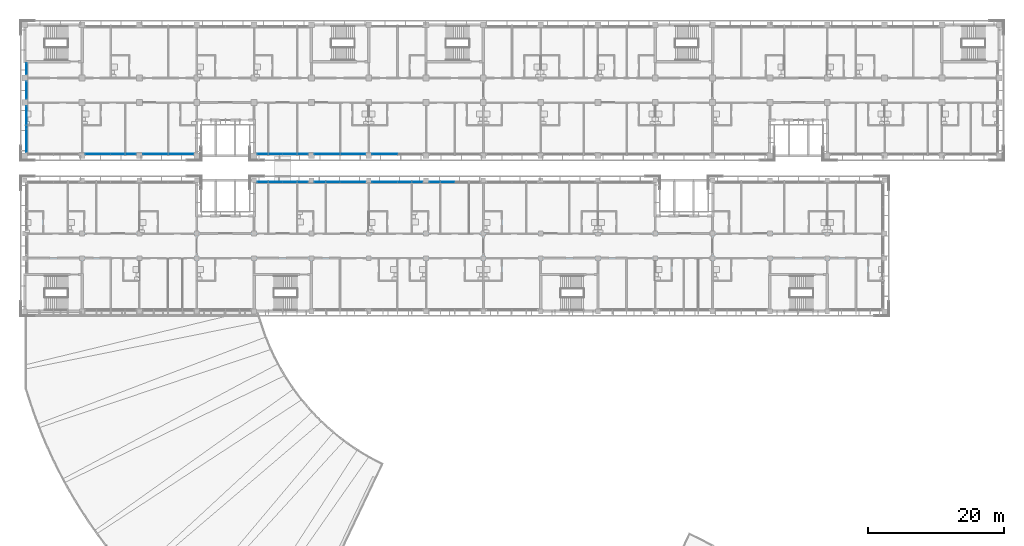
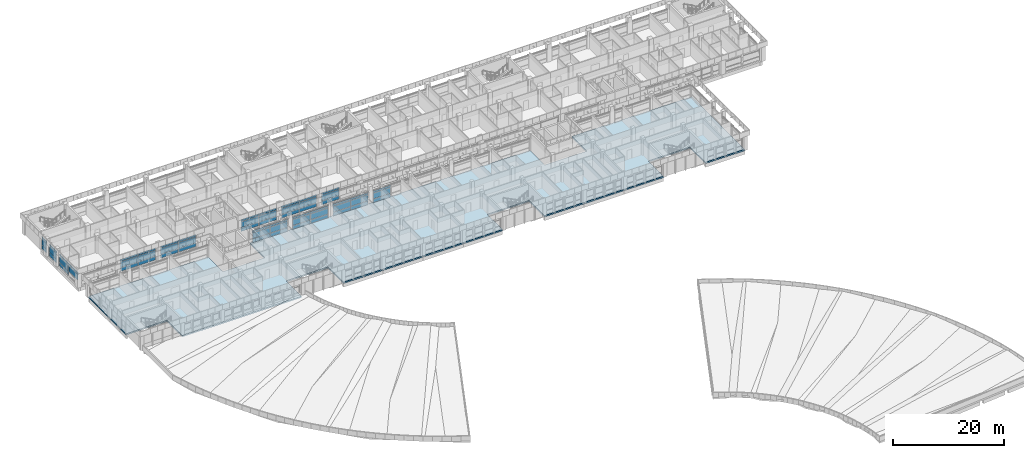
# One storey, part 22 of 74: 59 plates, 1 slab, 12 elements without a shape of their own.
"""IFC4 building model written with IfcOpenShell, lengths in metres."""

from ifc_helpers import new_model, si_unit, direction, frame, origin, origin_2d, place, context, subcontext, project, spatial, polyline, rectangle, outline, extrude, material, layer, layer_set, type_object, element, aggregate, save


model = new_model("IFC4")

# Units and contexts
model_context = context("Model", 3, precision=1e-05, world=origin(), true_north=direction((0.0, 1.0)))
body_context = subcontext(model_context, "Body", "Model", "MODEL_VIEW")
ifc_project = project(units=[si_unit("LENGTHUNIT", "METRE"), si_unit("AREAUNIT", "SQUARE_METRE"), si_unit("VOLUMEUNIT", "CUBIC_METRE"), si_unit("PLANEANGLEUNIT", "RADIAN"), si_unit("MASSUNIT", "GRAM", prefix="KILO")], contexts=[model_context])

# Site, building, storey
site_placement = place(None, origin())
site = spatial("IfcSite", under=ifc_project, at=site_placement, CompositionType="ELEMENT")
building_placement = place(site_placement, origin())
building = spatial("IfcBuilding", under=site, at=building_placement, Name="Bougainvillea Quay General Hospital", CompositionType="ELEMENT")
storey_placement = place(building_placement, frame((0.0, 0.0, 21.0)))
storey = spatial("IfcBuildingStorey", under=building, at=storey_placement, Name="L04", CompositionType="ELEMENT", Elevation=21.0)

# Curtain wall, plates
ifc_material_1 = material(Name="Aluminium curtain wall system, powder-coated glazed", Category="aluminium")
curtain_wall_type_1 = type_object("IfcCurtainWallType", Name="Unitised curtain wall CW-1755", PredefinedType="NOTDEFINED", material=ifc_material_1)
curtain_wall_1_placement = place(storey_placement, origin())
curtain_wall_1 = element("IfcCurtainWall", 1, at=curtain_wall_1_placement, inside=storey, type_object=curtain_wall_type_1, Name="CW-4200 00", PredefinedType="NOTDEFINED")
ifc_material_2 = material(Name="Insulated aluminium spandrel panel, white", Category="aluminium")
ifc_layer_1 = layer(ifc_material_2, 0.028076171875)
ifc_layer_set_1 = layer_set([ifc_layer_1], Name="Insulated aluminium spandrel panel, white")
plate_type_1 = type_object("IfcPlateType", Name="Insulated spandrel panel white 28", PredefinedType="CURTAIN_PANEL", material=ifc_layer_set_1)
plate_1_placement = place(storey_placement, frame((42.25, 153.1474609375, 0.06005859375), z_axis=(0.0, 0.0, 1.0), x_axis=(0.0, -1.0, 0.0)))
plate_1 = element("IfcPlate", 2, at=plate_1_placement, type_object=plate_type_1, Name="CW-4200 spandrel panel 1.1", PredefinedType="CURTAIN_PANEL", context=body_context, shape_type="SweptSolid", body=[
    extrude(rectangle(XDim=1.635009765625, YDim=0.028076171875, at=origin_2d()), origin(), (0.0, 0.0, 1.0), 0.81005859375),
])
plate_2_placement = place(storey_placement, frame((42.25, 153.1474609375, 2.2802734375), z_axis=(0.0, 0.0, 1.0), x_axis=(0.0, -1.0, 0.0)))
plate_2 = element("IfcPlate", 3, at=plate_2_placement, type_object=plate_type_1, Name="CW-4200 spandrel panel 1.3", PredefinedType="CURTAIN_PANEL", context=body_context, shape_type="SweptSolid", body=[
    extrude(rectangle(XDim=1.635009765625, YDim=0.028076171875, at=origin_2d()), origin(), (0.0, 0.0, 1.0), 0.409912109375),
])

curtain_wall_type_2 = type_object("IfcCurtainWallType", Name="Unitised curtain wall CW-2660", PredefinedType="NOTDEFINED", material=ifc_material_1)
curtain_wall_2_placement = place(storey_placement, origin())
curtain_wall_2 = element("IfcCurtainWall", 4, at=curtain_wall_2_placement, inside=storey, type_object=curtain_wall_type_2, Name="CW-4200 01", PredefinedType="NOTDEFINED")
plate_3_placement = place(storey_placement, frame((42.25, 150.0, 0.06005859375), z_axis=(0.0, 0.0, 1.0), x_axis=(0.0, -1.0, 0.0)))
plate_3 = element("IfcPlate", 5, at=plate_3_placement, type_object=plate_type_1, Name="CW-4200 spandrel panel 1.1", PredefinedType="CURTAIN_PANEL", context=body_context, shape_type="SweptSolid", body=[
    extrude(rectangle(XDim=2.5400390625, YDim=0.028076171875, at=origin_2d()), origin(), (0.0, 0.0, 1.0), 0.81005859375),
])
plate_4_placement = place(storey_placement, frame((42.25, 150.0, 2.2802734375), z_axis=(0.0, 0.0, 1.0), x_axis=(0.0, -1.0, 0.0)))
plate_4 = element("IfcPlate", 6, at=plate_4_placement, type_object=plate_type_1, Name="CW-4200 spandrel panel 1.3", PredefinedType="CURTAIN_PANEL", context=body_context, shape_type="SweptSolid", body=[
    extrude(rectangle(XDim=2.5400390625, YDim=0.028076171875, at=origin_2d()), origin(), (0.0, 0.0, 1.0), 0.409912109375),
])

curtain_wall_type_3 = type_object("IfcCurtainWallType", Name="Unitised curtain wall CW-3430", PredefinedType="NOTDEFINED", material=ifc_material_1)
curtain_wall_3_placement = place(storey_placement, origin())
curtain_wall_3 = element("IfcCurtainWall", 7, at=curtain_wall_3_placement, inside=storey, type_object=curtain_wall_type_3, Name="CW-4200 02", PredefinedType="NOTDEFINED")
plate_5_placement = place(storey_placement, frame((42.25, 146.0, 0.06005859375), z_axis=(0.0, 0.0, 1.0), x_axis=(0.0, -1.0, 0.0)))
plate_5 = element("IfcPlate", 8, at=plate_5_placement, type_object=plate_type_1, Name="CW-4200 spandrel panel 1.1", PredefinedType="CURTAIN_PANEL", context=body_context, shape_type="SweptSolid", body=[
    extrude(rectangle(XDim=3.340087890625, YDim=0.028076171875, at=origin_2d()), origin(), (0.0, 0.0, 1.0), 0.81005859375),
])
plate_6_placement = place(storey_placement, frame((42.25, 146.0, 2.2802734375), z_axis=(0.0, 0.0, 1.0), x_axis=(0.0, -1.0, 0.0)))
plate_6 = element("IfcPlate", 9, at=plate_6_placement, type_object=plate_type_1, Name="CW-4200 spandrel panel 1.3", PredefinedType="CURTAIN_PANEL", context=body_context, shape_type="SweptSolid", body=[
    extrude(rectangle(XDim=3.340087890625, YDim=0.028076171875, at=origin_2d()), origin(), (0.0, 0.0, 1.0), 0.409912109375),
])
plate_7_placement = place(storey_placement, frame((42.25, 142.60009765625, 2.2802734375), z_axis=(0.0, 0.0, 1.0), x_axis=(0.0, -1.0, 0.0)))
plate_7 = element("IfcPlate", 10, at=plate_7_placement, type_object=plate_type_1, Name="CW-4200 spandrel panel 2.3", PredefinedType="CURTAIN_PANEL", context=body_context, shape_type="SweptSolid", body=[
    extrude(rectangle(XDim=3.340087890625, YDim=0.028076171875, at=origin_2d()), origin(), (0.0, 0.0, 1.0), 0.409912109375),
])

curtain_wall_type_4 = type_object("IfcCurtainWallType", Name="Unitised curtain wall CW-3730", PredefinedType="NOTDEFINED", material=ifc_material_1)
curtain_wall_4_placement = place(storey_placement, origin())
curtain_wall_4 = element("IfcCurtainWall", 11, at=curtain_wall_4_placement, inside=storey, type_object=curtain_wall_type_4, Name="CW-4200 01", PredefinedType="NOTDEFINED")
plate_8_placement = place(storey_placement, frame((52.75, 140.64990234375, 0.06005859375), z_axis=(0.0, 0.0, 1.0), x_axis=(1.0, 0.0, 0.0)))
plate_8 = element("IfcPlate", 12, at=plate_8_placement, type_object=plate_type_1, Name="CW-4200 spandrel panel 1.1", PredefinedType="CURTAIN_PANEL", context=body_context, shape_type="SweptSolid", body=[
    extrude(rectangle(XDim=3.639892578125, YDim=0.028076171875, at=origin_2d()), origin(), (0.0, 0.0, 1.0), 0.81005859375),
])
plate_9_placement = place(storey_placement, frame((52.75, 140.64990234375, 2.2802734375), z_axis=(0.0, 0.0, 1.0), x_axis=(1.0, 0.0, 0.0)))
plate_9 = element("IfcPlate", 13, at=plate_9_placement, type_object=plate_type_1, Name="CW-4200 spandrel panel 1.3", PredefinedType="CURTAIN_PANEL", context=body_context, shape_type="SweptSolid", body=[
    extrude(rectangle(XDim=3.639892578125, YDim=0.028076171875, at=origin_2d()), origin(), (0.0, 0.0, 1.0), 0.409912109375),
])
plate_10_placement = place(storey_placement, frame((56.449951171875, 140.64990234375, 0.06005859375), z_axis=(0.0, 0.0, 1.0), x_axis=(1.0, 0.0, 0.0)))
plate_10 = element("IfcPlate", 14, at=plate_10_placement, type_object=plate_type_1, Name="CW-4200 spandrel panel 2.1", PredefinedType="CURTAIN_PANEL", context=body_context, shape_type="SweptSolid", body=[
    extrude(rectangle(XDim=3.639892578125, YDim=0.028076171875, at=origin_2d()), origin(), (0.0, 0.0, 1.0), 0.81005859375),
])
plate_11_placement = place(storey_placement, frame((56.449951171875, 140.64990234375, 2.2802734375), z_axis=(0.0, 0.0, 1.0), x_axis=(1.0, 0.0, 0.0)))
plate_11 = element("IfcPlate", 15, at=plate_11_placement, type_object=plate_type_1, Name="CW-4200 spandrel panel 2.3", PredefinedType="CURTAIN_PANEL", context=body_context, shape_type="SweptSolid", body=[
    extrude(rectangle(XDim=3.639892578125, YDim=0.028076171875, at=origin_2d()), origin(), (0.0, 0.0, 1.0), 0.409912109375),
])

curtain_wall_5_placement = place(storey_placement, origin())
curtain_wall_5 = element("IfcCurtainWall", 16, at=curtain_wall_5_placement, inside=storey, type_object=curtain_wall_type_4, Name="CW-4200 02", PredefinedType="NOTDEFINED")
plate_12_placement = place(storey_placement, frame((61.14990234375, 140.64990234375, 0.06005859375), z_axis=(0.0, 0.0, 1.0), x_axis=(1.0, 0.0, 0.0)))
plate_12 = element("IfcPlate", 17, at=plate_12_placement, type_object=plate_type_1, Name="CW-4200 spandrel panel 1.1", PredefinedType="CURTAIN_PANEL", context=body_context, shape_type="SweptSolid", body=[
    extrude(rectangle(XDim=3.639892578125, YDim=0.028076171875, at=origin_2d()), origin(), (0.0, 0.0, 1.0), 0.81005859375),
])
plate_13_placement = place(storey_placement, frame((61.14990234375, 140.64990234375, 2.2802734375), z_axis=(0.0, 0.0, 1.0), x_axis=(1.0, 0.0, 0.0)))
plate_13 = element("IfcPlate", 18, at=plate_13_placement, type_object=plate_type_1, Name="CW-4200 spandrel panel 1.3", PredefinedType="CURTAIN_PANEL", context=body_context, shape_type="SweptSolid", body=[
    extrude(rectangle(XDim=3.639892578125, YDim=0.028076171875, at=origin_2d()), origin(), (0.0, 0.0, 1.0), 0.409912109375),
])
plate_14_placement = place(storey_placement, frame((64.85009765625, 140.64990234375, 0.06005859375), z_axis=(0.0, 0.0, 1.0), x_axis=(1.0, 0.0, 0.0)))
plate_14 = element("IfcPlate", 19, at=plate_14_placement, type_object=plate_type_1, Name="CW-4200 spandrel panel 2.1", PredefinedType="CURTAIN_PANEL", context=body_context, shape_type="SweptSolid", body=[
    extrude(rectangle(XDim=3.639892578125, YDim=0.028076171875, at=origin_2d()), origin(), (0.0, 0.0, 1.0), 0.81005859375),
])
plate_15_placement = place(storey_placement, frame((64.85009765625, 140.64990234375, 2.2802734375), z_axis=(0.0, 0.0, 1.0), x_axis=(1.0, 0.0, 0.0)))
plate_15 = element("IfcPlate", 20, at=plate_15_placement, type_object=plate_type_1, Name="CW-4200 spandrel panel 2.3", PredefinedType="CURTAIN_PANEL", context=body_context, shape_type="SweptSolid", body=[
    extrude(rectangle(XDim=3.639892578125, YDim=0.028076171875, at=origin_2d()), origin(), (0.0, 0.0, 1.0), 0.409912109375),
])

curtain_wall_6_placement = place(storey_placement, origin())
curtain_wall_6 = element("IfcCurtainWall", 21, at=curtain_wall_6_placement, inside=storey, type_object=curtain_wall_type_4, Name="CW-4200 00", PredefinedType="NOTDEFINED")
plate_16_placement = place(storey_placement, frame((77.949951171875, 140.64990234375, 0.06005859375), z_axis=(0.0, 0.0, 1.0), x_axis=(1.0, 0.0, 0.0)))
plate_16 = element("IfcPlate", 22, at=plate_16_placement, type_object=plate_type_1, Name="CW-4200 spandrel panel 1.1", PredefinedType="CURTAIN_PANEL", context=body_context, shape_type="SweptSolid", body=[
    extrude(rectangle(XDim=3.639892578125, YDim=0.028076171875, at=origin_2d()), origin(), (0.0, 0.0, 1.0), 0.81005859375),
])
plate_17_placement = place(storey_placement, frame((77.949951171875, 140.64990234375, 2.2802734375), z_axis=(0.0, 0.0, 1.0), x_axis=(1.0, 0.0, 0.0)))
plate_17 = element("IfcPlate", 23, at=plate_17_placement, type_object=plate_type_1, Name="CW-4200 spandrel panel 1.3", PredefinedType="CURTAIN_PANEL", context=body_context, shape_type="SweptSolid", body=[
    extrude(rectangle(XDim=3.639892578125, YDim=0.028076171875, at=origin_2d()), origin(), (0.0, 0.0, 1.0), 0.409912109375),
])
plate_18_placement = place(storey_placement, frame((81.64990234375, 140.64990234375, 0.06005859375), z_axis=(0.0, 0.0, 1.0), x_axis=(1.0, 0.0, 0.0)))
plate_18 = element("IfcPlate", 24, at=plate_18_placement, type_object=plate_type_1, Name="CW-4200 spandrel panel 2.1", PredefinedType="CURTAIN_PANEL", context=body_context, shape_type="SweptSolid", body=[
    extrude(rectangle(XDim=3.639892578125, YDim=0.028076171875, at=origin_2d()), origin(), (0.0, 0.0, 1.0), 0.81005859375),
])
plate_19_placement = place(storey_placement, frame((81.64990234375, 140.64990234375, 2.2802734375), z_axis=(0.0, 0.0, 1.0), x_axis=(1.0, 0.0, 0.0)))
plate_19 = element("IfcPlate", 25, at=plate_19_placement, type_object=plate_type_1, Name="CW-4200 spandrel panel 2.3", PredefinedType="CURTAIN_PANEL", context=body_context, shape_type="SweptSolid", body=[
    extrude(rectangle(XDim=3.639892578125, YDim=0.028076171875, at=origin_2d()), origin(), (0.0, 0.0, 1.0), 0.409912109375),
])

curtain_wall_7_placement = place(storey_placement, origin())
curtain_wall_7 = element("IfcCurtainWall", 26, at=curtain_wall_7_placement, inside=storey, type_object=curtain_wall_type_4, Name="CW-4200 01", PredefinedType="NOTDEFINED")
plate_20_placement = place(storey_placement, frame((86.35009765625, 140.64990234375, 0.06005859375), z_axis=(0.0, 0.0, 1.0), x_axis=(1.0, 0.0, 0.0)))
plate_20 = element("IfcPlate", 27, at=plate_20_placement, type_object=plate_type_1, Name="CW-4200 spandrel panel 1.1", PredefinedType="CURTAIN_PANEL", context=body_context, shape_type="SweptSolid", body=[
    extrude(rectangle(XDim=3.639892578125, YDim=0.028076171875, at=origin_2d()), origin(), (0.0, 0.0, 1.0), 0.81005859375),
])
plate_21_placement = place(storey_placement, frame((86.35009765625, 140.64990234375, 2.2802734375), z_axis=(0.0, 0.0, 1.0), x_axis=(1.0, 0.0, 0.0)))
plate_21 = element("IfcPlate", 28, at=plate_21_placement, type_object=plate_type_1, Name="CW-4200 spandrel panel 1.3", PredefinedType="CURTAIN_PANEL", context=body_context, shape_type="SweptSolid", body=[
    extrude(rectangle(XDim=3.639892578125, YDim=0.028076171875, at=origin_2d()), origin(), (0.0, 0.0, 1.0), 0.409912109375),
])
plate_22_placement = place(storey_placement, frame((90.050048828125, 140.64990234375, 0.06005859375), z_axis=(0.0, 0.0, 1.0), x_axis=(1.0, 0.0, 0.0)))
plate_22 = element("IfcPlate", 29, at=plate_22_placement, type_object=plate_type_1, Name="CW-4200 spandrel panel 2.1", PredefinedType="CURTAIN_PANEL", context=body_context, shape_type="SweptSolid", body=[
    extrude(rectangle(XDim=3.639892578125, YDim=0.028076171875, at=origin_2d()), origin(), (0.0, 0.0, 1.0), 0.81005859375),
])
plate_23_placement = place(storey_placement, frame((90.050048828125, 140.64990234375, 2.2802734375), z_axis=(0.0, 0.0, 1.0), x_axis=(1.0, 0.0, 0.0)))
plate_23 = element("IfcPlate", 30, at=plate_23_placement, type_object=plate_type_1, Name="CW-4200 spandrel panel 2.3", PredefinedType="CURTAIN_PANEL", context=body_context, shape_type="SweptSolid", body=[
    extrude(rectangle(XDim=3.639892578125, YDim=0.028076171875, at=origin_2d()), origin(), (0.0, 0.0, 1.0), 0.409912109375),
])

curtain_wall_8_placement = place(storey_placement, origin())
curtain_wall_8 = element("IfcCurtainWall", 31, at=curtain_wall_8_placement, inside=storey, type_object=curtain_wall_type_4, Name="CW-4200 02", PredefinedType="NOTDEFINED")
plate_24_placement = place(storey_placement, frame((94.75, 140.64990234375, 0.06005859375), z_axis=(0.0, 0.0, 1.0), x_axis=(1.0, 0.0, 0.0)))
plate_24 = element("IfcPlate", 32, at=plate_24_placement, type_object=plate_type_1, Name="CW-4200 spandrel panel 1.1", PredefinedType="CURTAIN_PANEL", context=body_context, shape_type="SweptSolid", body=[
    extrude(rectangle(XDim=3.639892578125, YDim=0.028076171875, at=origin_2d()), origin(), (0.0, 0.0, 1.0), 0.81005859375),
])
plate_25_placement = place(storey_placement, frame((94.75, 140.64990234375, 2.2802734375), z_axis=(0.0, 0.0, 1.0), x_axis=(1.0, 0.0, 0.0)))
plate_25 = element("IfcPlate", 33, at=plate_25_placement, type_object=plate_type_1, Name="CW-4200 spandrel panel 1.3", PredefinedType="CURTAIN_PANEL", context=body_context, shape_type="SweptSolid", body=[
    extrude(rectangle(XDim=3.639892578125, YDim=0.028076171875, at=origin_2d()), origin(), (0.0, 0.0, 1.0), 0.409912109375),
])

curtain_wall_9_placement = place(storey_placement, origin())
curtain_wall_9 = element("IfcCurtainWall", 34, at=curtain_wall_9_placement, inside=storey, type_object=curtain_wall_type_4, Name="CW-4200 03", PredefinedType="NOTDEFINED")
plate_26_placement = place(storey_placement, frame((103.14990234375, 136.550048828125, 0.06005859375), z_axis=(0.0, 0.0, 1.0), x_axis=(-1.0, 0.0, 0.0)))
plate_26 = element("IfcPlate", 35, at=plate_26_placement, type_object=plate_type_1, Name="CW-4200 spandrel panel 2.1", PredefinedType="CURTAIN_PANEL", context=body_context, shape_type="SweptSolid", body=[
    extrude(rectangle(XDim=3.639892578125, YDim=0.028076171875, at=origin_2d()), origin(), (0.0, 0.0, 1.0), 0.81005859375),
])
plate_27_placement = place(storey_placement, frame((103.14990234375, 136.550048828125, 2.2802734375), z_axis=(0.0, 0.0, 1.0), x_axis=(-1.0, 0.0, 0.0)))
plate_27 = element("IfcPlate", 36, at=plate_27_placement, type_object=plate_type_1, Name="CW-4200 spandrel panel 2.3", PredefinedType="CURTAIN_PANEL", context=body_context, shape_type="SweptSolid", body=[
    extrude(rectangle(XDim=3.639892578125, YDim=0.028076171875, at=origin_2d()), origin(), (0.0, 0.0, 1.0), 0.409912109375),
])

curtain_wall_10_placement = place(storey_placement, origin())
curtain_wall_10 = element("IfcCurtainWall", 37, at=curtain_wall_10_placement, inside=storey, type_object=curtain_wall_type_4, Name="CW-4200 04", PredefinedType="NOTDEFINED")
plate_28_placement = place(storey_placement, frame((98.449951171875, 136.550048828125, 0.06005859375), z_axis=(0.0, 0.0, 1.0), x_axis=(-1.0, 0.0, 0.0)))
plate_28 = element("IfcPlate", 38, at=plate_28_placement, type_object=plate_type_1, Name="CW-4200 spandrel panel 1.1", PredefinedType="CURTAIN_PANEL", context=body_context, shape_type="SweptSolid", body=[
    extrude(rectangle(XDim=3.639892578125, YDim=0.028076171875, at=origin_2d()), origin(), (0.0, 0.0, 1.0), 0.81005859375),
])
plate_29_placement = place(storey_placement, frame((98.449951171875, 136.550048828125, 2.2802734375), z_axis=(0.0, 0.0, 1.0), x_axis=(-1.0, 0.0, 0.0)))
plate_29 = element("IfcPlate", 39, at=plate_29_placement, type_object=plate_type_1, Name="CW-4200 spandrel panel 1.3", PredefinedType="CURTAIN_PANEL", context=body_context, shape_type="SweptSolid", body=[
    extrude(rectangle(XDim=3.639892578125, YDim=0.028076171875, at=origin_2d()), origin(), (0.0, 0.0, 1.0), 0.409912109375),
])
plate_30_placement = place(storey_placement, frame((94.75, 136.550048828125, 0.06005859375), z_axis=(0.0, 0.0, 1.0), x_axis=(-1.0, 0.0, 0.0)))
plate_30 = element("IfcPlate", 40, at=plate_30_placement, type_object=plate_type_1, Name="CW-4200 spandrel panel 2.1", PredefinedType="CURTAIN_PANEL", context=body_context, shape_type="SweptSolid", body=[
    extrude(rectangle(XDim=3.639892578125, YDim=0.028076171875, at=origin_2d()), origin(), (0.0, 0.0, 1.0), 0.81005859375),
])
plate_31_placement = place(storey_placement, frame((94.75, 136.550048828125, 2.2802734375), z_axis=(0.0, 0.0, 1.0), x_axis=(-1.0, 0.0, 0.0)))
plate_31 = element("IfcPlate", 41, at=plate_31_placement, type_object=plate_type_1, Name="CW-4200 spandrel panel 2.3", PredefinedType="CURTAIN_PANEL", context=body_context, shape_type="SweptSolid", body=[
    extrude(rectangle(XDim=3.639892578125, YDim=0.028076171875, at=origin_2d()), origin(), (0.0, 0.0, 1.0), 0.409912109375),
])

curtain_wall_11_placement = place(storey_placement, origin())
curtain_wall_11 = element("IfcCurtainWall", 42, at=curtain_wall_11_placement, inside=storey, type_object=curtain_wall_type_4, Name="CW-4200 05", PredefinedType="NOTDEFINED")
plate_32_placement = place(storey_placement, frame((90.050048828125, 136.550048828125, 0.06005859375), z_axis=(0.0, 0.0, 1.0), x_axis=(-1.0, 0.0, 0.0)))
plate_32 = element("IfcPlate", 43, at=plate_32_placement, type_object=plate_type_1, Name="CW-4200 spandrel panel 1.1", PredefinedType="CURTAIN_PANEL", context=body_context, shape_type="SweptSolid", body=[
    extrude(rectangle(XDim=3.639892578125, YDim=0.028076171875, at=origin_2d()), origin(), (0.0, 0.0, 1.0), 0.81005859375),
])
plate_33_placement = place(storey_placement, frame((90.050048828125, 136.550048828125, 2.2802734375), z_axis=(0.0, 0.0, 1.0), x_axis=(-1.0, 0.0, 0.0)))
plate_33 = element("IfcPlate", 44, at=plate_33_placement, type_object=plate_type_1, Name="CW-4200 spandrel panel 1.3", PredefinedType="CURTAIN_PANEL", context=body_context, shape_type="SweptSolid", body=[
    extrude(rectangle(XDim=3.639892578125, YDim=0.028076171875, at=origin_2d()), origin(), (0.0, 0.0, 1.0), 0.409912109375),
])
plate_34_placement = place(storey_placement, frame((86.35009765625, 136.550048828125, 0.06005859375), z_axis=(0.0, 0.0, 1.0), x_axis=(-1.0, 0.0, 0.0)))
plate_34 = element("IfcPlate", 45, at=plate_34_placement, type_object=plate_type_1, Name="CW-4200 spandrel panel 2.1", PredefinedType="CURTAIN_PANEL", context=body_context, shape_type="SweptSolid", body=[
    extrude(rectangle(XDim=3.639892578125, YDim=0.028076171875, at=origin_2d()), origin(), (0.0, 0.0, 1.0), 0.81005859375),
])
plate_35_placement = place(storey_placement, frame((86.35009765625, 136.550048828125, 2.2802734375), z_axis=(0.0, 0.0, 1.0), x_axis=(-1.0, 0.0, 0.0)))
plate_35 = element("IfcPlate", 46, at=plate_35_placement, type_object=plate_type_1, Name="CW-4200 spandrel panel 2.3", PredefinedType="CURTAIN_PANEL", context=body_context, shape_type="SweptSolid", body=[
    extrude(rectangle(XDim=3.639892578125, YDim=0.028076171875, at=origin_2d()), origin(), (0.0, 0.0, 1.0), 0.409912109375),
])

curtain_wall_12_placement = place(storey_placement, origin())
curtain_wall_12 = element("IfcCurtainWall", 47, at=curtain_wall_12_placement, inside=storey, type_object=curtain_wall_type_4, Name="CW-4200 06", PredefinedType="NOTDEFINED")
plate_36_placement = place(storey_placement, frame((81.64990234375, 136.550048828125, 0.06005859375), z_axis=(0.0, 0.0, 1.0), x_axis=(-1.0, 0.0, 0.0)))
plate_36 = element("IfcPlate", 48, at=plate_36_placement, type_object=plate_type_1, Name="CW-4200 spandrel panel 1.1", PredefinedType="CURTAIN_PANEL", context=body_context, shape_type="SweptSolid", body=[
    extrude(rectangle(XDim=3.639892578125, YDim=0.028076171875, at=origin_2d()), origin(), (0.0, 0.0, 1.0), 0.81005859375),
])
plate_37_placement = place(storey_placement, frame((81.64990234375, 136.550048828125, 2.2802734375), z_axis=(0.0, 0.0, 1.0), x_axis=(-1.0, 0.0, 0.0)))
plate_37 = element("IfcPlate", 49, at=plate_37_placement, type_object=plate_type_1, Name="CW-4200 spandrel panel 1.3", PredefinedType="CURTAIN_PANEL", context=body_context, shape_type="SweptSolid", body=[
    extrude(rectangle(XDim=3.639892578125, YDim=0.028076171875, at=origin_2d()), origin(), (0.0, 0.0, 1.0), 0.409912109375),
])
plate_38_placement = place(storey_placement, frame((77.949951171875, 136.550048828125, 0.06005859375), z_axis=(0.0, 0.0, 1.0), x_axis=(-1.0, 0.0, 0.0)))
plate_38 = element("IfcPlate", 50, at=plate_38_placement, type_object=plate_type_1, Name="CW-4200 spandrel panel 2.1", PredefinedType="CURTAIN_PANEL", context=body_context, shape_type="SweptSolid", body=[
    extrude(rectangle(XDim=3.639892578125, YDim=0.028076171875, at=origin_2d()), origin(), (0.0, 0.0, 1.0), 0.81005859375),
])
plate_39_placement = place(storey_placement, frame((77.949951171875, 136.550048828125, 2.2802734375), z_axis=(0.0, 0.0, 1.0), x_axis=(-1.0, 0.0, 0.0)))
plate_39 = element("IfcPlate", 51, at=plate_39_placement, type_object=plate_type_1, Name="CW-4200 spandrel panel 2.3", PredefinedType="CURTAIN_PANEL", context=body_context, shape_type="SweptSolid", body=[
    extrude(rectangle(XDim=3.639892578125, YDim=0.028076171875, at=origin_2d()), origin(), (0.0, 0.0, 1.0), 0.409912109375),
])

# Plate
ifc_material_3 = material(Name="Low-e laminated glass, solar control", Category="glass")
ifc_layer_2 = layer(ifc_material_3, 0.028076171875)
ifc_layer_set_2 = layer_set([ifc_layer_2], Name="Low-e laminated glass, solar control")
plate_type_2 = type_object("IfcPlateType", Name="Low-e laminated vision glass 28", PredefinedType="CURTAIN_PANEL", material=ifc_layer_set_2)
plate_40_placement = place(storey_placement, frame((42.25, 153.1474609375, 0.929931640625), z_axis=(0.0, 0.0, 1.0), x_axis=(0.0, -1.0, 0.0)))
plate_40 = element("IfcPlate", 52, at=plate_40_placement, type_object=plate_type_2, Name="CW-4200 vision glass panel 1.2", PredefinedType="CURTAIN_PANEL", context=body_context, shape_type="SweptSolid", body=[
    extrude(rectangle(XDim=1.635009765625, YDim=0.028076171875, at=origin_2d()), origin(), (0.0, 0.0, 1.0), 1.2900390625),
])

aggregate(curtain_wall_1, [plate_1, plate_40, plate_2])

plate_41_placement = place(storey_placement, frame((42.25, 150.0, 0.929931640625), z_axis=(0.0, 0.0, 1.0), x_axis=(0.0, -1.0, 0.0)))
plate_41 = element("IfcPlate", 53, at=plate_41_placement, type_object=plate_type_2, Name="CW-4200 vision glass panel 1.2", PredefinedType="CURTAIN_PANEL", context=body_context, shape_type="SweptSolid", body=[
    extrude(rectangle(XDim=2.5400390625, YDim=0.028076171875, at=origin_2d()), origin(), (0.0, 0.0, 1.0), 1.2900390625),
])

aggregate(curtain_wall_2, [plate_3, plate_41, plate_4])

plate_42_placement = place(storey_placement, frame((42.25, 146.0, 0.929931640625), z_axis=(0.0, 0.0, 1.0), x_axis=(0.0, -1.0, 0.0)))
plate_42 = element("IfcPlate", 54, at=plate_42_placement, type_object=plate_type_2, Name="CW-4200 vision glass panel 1.2", PredefinedType="CURTAIN_PANEL", context=body_context, shape_type="SweptSolid", body=[
    extrude(rectangle(XDim=3.340087890625, YDim=0.028076171875, at=origin_2d()), origin(), (0.0, 0.0, 1.0), 1.2900390625),
])

plate_43_placement = place(storey_placement, frame((42.25, 142.60009765625, 0.929931640625), z_axis=(0.0, 0.0, 1.0), x_axis=(0.0, -1.0, 0.0)))
plate_43 = element("IfcPlate", 55, at=plate_43_placement, type_object=plate_type_2, Name="CW-4200 vision glass panel 2.2", PredefinedType="CURTAIN_PANEL", context=body_context, shape_type="SweptSolid", body=[
    extrude(rectangle(XDim=3.340087890625, YDim=0.028076171875, at=origin_2d()), origin(), (0.0, 0.0, 1.0), 1.2900390625),
])

aggregate(curtain_wall_3, [plate_5, plate_42, plate_6, plate_43, plate_7])

plate_44_placement = place(storey_placement, frame((52.75, 140.64990234375, 0.929931640625), z_axis=(0.0, 0.0, 1.0), x_axis=(1.0, 0.0, 0.0)))
plate_44 = element("IfcPlate", 56, at=plate_44_placement, type_object=plate_type_2, Name="CW-4200 vision glass panel 1.2", PredefinedType="CURTAIN_PANEL", context=body_context, shape_type="SweptSolid", body=[
    extrude(rectangle(XDim=3.639892578125, YDim=0.028076171875, at=origin_2d()), origin(), (0.0, 0.0, 1.0), 1.2900390625),
])

plate_45_placement = place(storey_placement, frame((56.449951171875, 140.64990234375, 0.929931640625), z_axis=(0.0, 0.0, 1.0), x_axis=(1.0, 0.0, 0.0)))
plate_45 = element("IfcPlate", 57, at=plate_45_placement, type_object=plate_type_2, Name="CW-4200 vision glass panel 2.2", PredefinedType="CURTAIN_PANEL", context=body_context, shape_type="SweptSolid", body=[
    extrude(rectangle(XDim=3.639892578125, YDim=0.028076171875, at=origin_2d()), origin(), (0.0, 0.0, 1.0), 1.2900390625),
])

aggregate(curtain_wall_4, [plate_8, plate_44, plate_9, plate_10, plate_45, plate_11])

plate_46_placement = place(storey_placement, frame((61.14990234375, 140.64990234375, 0.929931640625), z_axis=(0.0, 0.0, 1.0), x_axis=(1.0, 0.0, 0.0)))
plate_46 = element("IfcPlate", 58, at=plate_46_placement, type_object=plate_type_2, Name="CW-4200 vision glass panel 1.2", PredefinedType="CURTAIN_PANEL", context=body_context, shape_type="SweptSolid", body=[
    extrude(rectangle(XDim=3.639892578125, YDim=0.028076171875, at=origin_2d()), origin(), (0.0, 0.0, 1.0), 1.2900390625),
])

plate_47_placement = place(storey_placement, frame((64.85009765625, 140.64990234375, 0.929931640625), z_axis=(0.0, 0.0, 1.0), x_axis=(1.0, 0.0, 0.0)))
plate_47 = element("IfcPlate", 59, at=plate_47_placement, type_object=plate_type_2, Name="CW-4200 vision glass panel 2.2", PredefinedType="CURTAIN_PANEL", context=body_context, shape_type="SweptSolid", body=[
    extrude(rectangle(XDim=3.639892578125, YDim=0.028076171875, at=origin_2d()), origin(), (0.0, 0.0, 1.0), 1.2900390625),
])

aggregate(curtain_wall_5, [plate_12, plate_46, plate_13, plate_14, plate_47, plate_15])

plate_48_placement = place(storey_placement, frame((77.949951171875, 140.64990234375, 0.929931640625), z_axis=(0.0, 0.0, 1.0), x_axis=(1.0, 0.0, 0.0)))
plate_48 = element("IfcPlate", 60, at=plate_48_placement, type_object=plate_type_2, Name="CW-4200 vision glass panel 1.2", PredefinedType="CURTAIN_PANEL", context=body_context, shape_type="SweptSolid", body=[
    extrude(rectangle(XDim=3.639892578125, YDim=0.028076171875, at=origin_2d()), origin(), (0.0, 0.0, 1.0), 1.2900390625),
])

plate_49_placement = place(storey_placement, frame((81.64990234375, 140.64990234375, 0.929931640625), z_axis=(0.0, 0.0, 1.0), x_axis=(1.0, 0.0, 0.0)))
plate_49 = element("IfcPlate", 61, at=plate_49_placement, type_object=plate_type_2, Name="CW-4200 vision glass panel 2.2", PredefinedType="CURTAIN_PANEL", context=body_context, shape_type="SweptSolid", body=[
    extrude(rectangle(XDim=3.639892578125, YDim=0.028076171875, at=origin_2d()), origin(), (0.0, 0.0, 1.0), 1.2900390625),
])

aggregate(curtain_wall_6, [plate_16, plate_48, plate_17, plate_18, plate_49, plate_19])

plate_50_placement = place(storey_placement, frame((86.35009765625, 140.64990234375, 0.929931640625), z_axis=(0.0, 0.0, 1.0), x_axis=(1.0, 0.0, 0.0)))
plate_50 = element("IfcPlate", 62, at=plate_50_placement, type_object=plate_type_2, Name="CW-4200 vision glass panel 1.2", PredefinedType="CURTAIN_PANEL", context=body_context, shape_type="SweptSolid", body=[
    extrude(rectangle(XDim=3.639892578125, YDim=0.028076171875, at=origin_2d()), origin(), (0.0, 0.0, 1.0), 1.2900390625),
])

plate_51_placement = place(storey_placement, frame((90.050048828125, 140.64990234375, 0.929931640625), z_axis=(0.0, 0.0, 1.0), x_axis=(1.0, 0.0, 0.0)))
plate_51 = element("IfcPlate", 63, at=plate_51_placement, type_object=plate_type_2, Name="CW-4200 vision glass panel 2.2", PredefinedType="CURTAIN_PANEL", context=body_context, shape_type="SweptSolid", body=[
    extrude(rectangle(XDim=3.639892578125, YDim=0.028076171875, at=origin_2d()), origin(), (0.0, 0.0, 1.0), 1.2900390625),
])

aggregate(curtain_wall_7, [plate_20, plate_50, plate_21, plate_22, plate_51, plate_23])

plate_52_placement = place(storey_placement, frame((94.75, 140.64990234375, 0.929931640625), z_axis=(0.0, 0.0, 1.0), x_axis=(1.0, 0.0, 0.0)))
plate_52 = element("IfcPlate", 64, at=plate_52_placement, type_object=plate_type_2, Name="CW-4200 vision glass panel 1.2", PredefinedType="CURTAIN_PANEL", context=body_context, shape_type="SweptSolid", body=[
    extrude(rectangle(XDim=3.639892578125, YDim=0.028076171875, at=origin_2d()), origin(), (0.0, 0.0, 1.0), 1.2900390625),
])

aggregate(curtain_wall_8, [plate_24, plate_52, plate_25])

plate_53_placement = place(storey_placement, frame((103.14990234375, 136.550048828125, 0.929931640625), z_axis=(0.0, 0.0, 1.0), x_axis=(-1.0, 0.0, 0.0)))
plate_53 = element("IfcPlate", 65, at=plate_53_placement, type_object=plate_type_2, Name="CW-4200 vision glass panel 2.2", PredefinedType="CURTAIN_PANEL", context=body_context, shape_type="SweptSolid", body=[
    extrude(rectangle(XDim=3.639892578125, YDim=0.028076171875, at=origin_2d()), origin(), (0.0, 0.0, 1.0), 1.2900390625),
])

aggregate(curtain_wall_9, [plate_26, plate_53, plate_27])

plate_54_placement = place(storey_placement, frame((98.449951171875, 136.550048828125, 0.929931640625), z_axis=(0.0, 0.0, 1.0), x_axis=(-1.0, 0.0, 0.0)))
plate_54 = element("IfcPlate", 66, at=plate_54_placement, type_object=plate_type_2, Name="CW-4200 vision glass panel 1.2", PredefinedType="CURTAIN_PANEL", context=body_context, shape_type="SweptSolid", body=[
    extrude(rectangle(XDim=3.639892578125, YDim=0.028076171875, at=origin_2d()), origin(), (0.0, 0.0, 1.0), 1.2900390625),
])

plate_55_placement = place(storey_placement, frame((94.75, 136.550048828125, 0.929931640625), z_axis=(0.0, 0.0, 1.0), x_axis=(-1.0, 0.0, 0.0)))
plate_55 = element("IfcPlate", 67, at=plate_55_placement, type_object=plate_type_2, Name="CW-4200 vision glass panel 2.2", PredefinedType="CURTAIN_PANEL", context=body_context, shape_type="SweptSolid", body=[
    extrude(rectangle(XDim=3.639892578125, YDim=0.028076171875, at=origin_2d()), origin(), (0.0, 0.0, 1.0), 1.2900390625),
])

aggregate(curtain_wall_10, [plate_28, plate_54, plate_29, plate_30, plate_55, plate_31])

plate_56_placement = place(storey_placement, frame((90.050048828125, 136.550048828125, 0.929931640625), z_axis=(0.0, 0.0, 1.0), x_axis=(-1.0, 0.0, 0.0)))
plate_56 = element("IfcPlate", 68, at=plate_56_placement, type_object=plate_type_2, Name="CW-4200 vision glass panel 1.2", PredefinedType="CURTAIN_PANEL", context=body_context, shape_type="SweptSolid", body=[
    extrude(rectangle(XDim=3.639892578125, YDim=0.028076171875, at=origin_2d()), origin(), (0.0, 0.0, 1.0), 1.2900390625),
])

plate_57_placement = place(storey_placement, frame((86.35009765625, 136.550048828125, 0.929931640625), z_axis=(0.0, 0.0, 1.0), x_axis=(-1.0, 0.0, 0.0)))
plate_57 = element("IfcPlate", 69, at=plate_57_placement, type_object=plate_type_2, Name="CW-4200 vision glass panel 2.2", PredefinedType="CURTAIN_PANEL", context=body_context, shape_type="SweptSolid", body=[
    extrude(rectangle(XDim=3.639892578125, YDim=0.028076171875, at=origin_2d()), origin(), (0.0, 0.0, 1.0), 1.2900390625),
])

aggregate(curtain_wall_11, [plate_32, plate_56, plate_33, plate_34, plate_57, plate_35])

plate_58_placement = place(storey_placement, frame((81.64990234375, 136.550048828125, 0.929931640625), z_axis=(0.0, 0.0, 1.0), x_axis=(-1.0, 0.0, 0.0)))
plate_58 = element("IfcPlate", 70, at=plate_58_placement, type_object=plate_type_2, Name="CW-4200 vision glass panel 1.2", PredefinedType="CURTAIN_PANEL", context=body_context, shape_type="SweptSolid", body=[
    extrude(rectangle(XDim=3.639892578125, YDim=0.028076171875, at=origin_2d()), origin(), (0.0, 0.0, 1.0), 1.2900390625),
])

plate_59_placement = place(storey_placement, frame((77.949951171875, 136.550048828125, 0.929931640625), z_axis=(0.0, 0.0, 1.0), x_axis=(-1.0, 0.0, 0.0)))
plate_59 = element("IfcPlate", 71, at=plate_59_placement, type_object=plate_type_2, Name="CW-4200 vision glass panel 2.2", PredefinedType="CURTAIN_PANEL", context=body_context, shape_type="SweptSolid", body=[
    extrude(rectangle(XDim=3.639892578125, YDim=0.028076171875, at=origin_2d()), origin(), (0.0, 0.0, 1.0), 1.2900390625),
])

aggregate(curtain_wall_12, [plate_36, plate_58, plate_37, plate_38, plate_59, plate_39])

# Slab
ifc_material_4 = material(Name="Concrete C35", Category="concrete")
ifc_layer_3 = layer(ifc_material_4, 0.300048828125)
ifc_layer_set_3 = layer_set([ifc_layer_3], Name="Concrete C35")
slab_type = type_object("IfcSlabType", Name="RC FLAT SLAB 300 C35", PredefinedType="FLOOR", material=ifc_layer_set_3)
slab_placement = place(storey_placement, frame((0.0, 0.0, -0.300048828125)))
element("IfcSlab", 72, at=slab_placement, inside=storey, type_object=slab_type, Name="Slab S3 L04", PredefinedType="FLOOR", context=body_context, shape_type="SweptSolid", body=[
    extrude(outline(polyline([(67.02490234375, 136.800048828125), (42.0, 136.800048828125), (42.0, 123.175048828125), (50.22509765625, 123.175048828125), (50.574951171875, 123.175048828125), (50.574951171875, 117.60009765625), (75.425048828125, 117.60009765625), (75.425048828125, 122.824951171875), (75.425048828125, 123.175048828125), (83.824951171875, 123.175048828125), (84.175048828125, 123.175048828125), (84.175048828125, 117.60009765625), (117.425048828125, 117.60009765625), (117.425048828125, 122.824951171875), (117.425048828125, 123.175048828125), (125.824951171875, 123.175048828125), (126.175048828125, 123.175048828125), (126.175048828125, 117.60009765625), (151.02490234375, 117.60009765625), (151.02490234375, 122.824951171875), (151.02490234375, 123.175048828125), (159.425048828125, 123.175048828125), (159.77490234375, 123.175048828125), (159.77490234375, 117.60009765625), (168.0, 117.60009765625), (168.0, 136.800048828125), (142.97509765625, 136.800048828125), (142.97509765625, 131.425048828125), (142.625, 131.425048828125), (140.0, 131.425048828125), (137.199951171875, 131.425048828125), (134.574951171875, 131.425048828125), (134.22509765625, 131.425048828125), (134.22509765625, 136.625), (134.22509765625, 136.800048828125), (75.77490234375, 136.800048828125), (75.77490234375, 131.425048828125), (75.425048828125, 131.425048828125), (72.800048828125, 131.425048828125), (70.0, 131.425048828125), (67.375, 131.425048828125), (67.02490234375, 131.425048828125), (67.02490234375, 136.625), (67.02490234375, 136.800048828125)])), origin(), (0.0, 0.0, 1.0), 0.300048828125),
])

save(model, "model.ifc")
